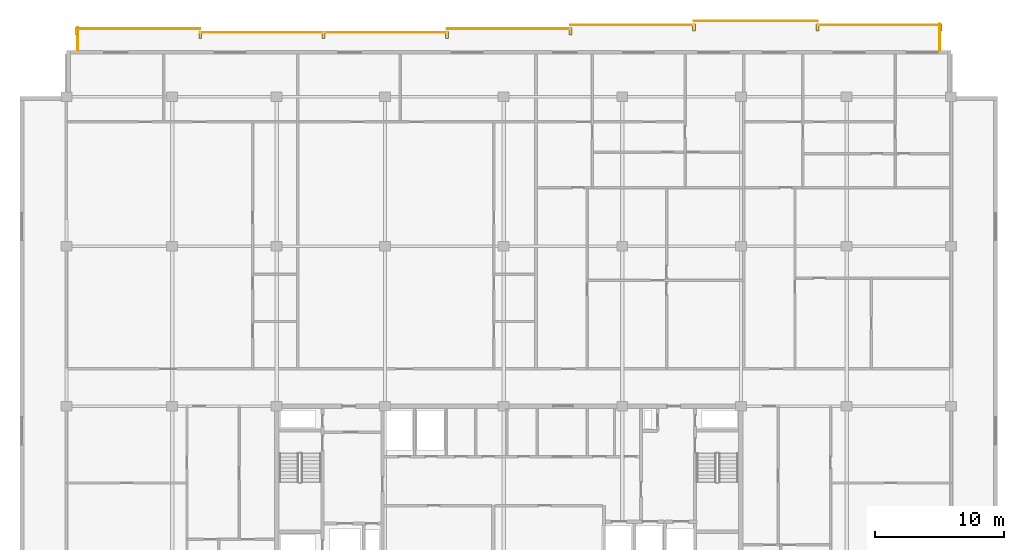
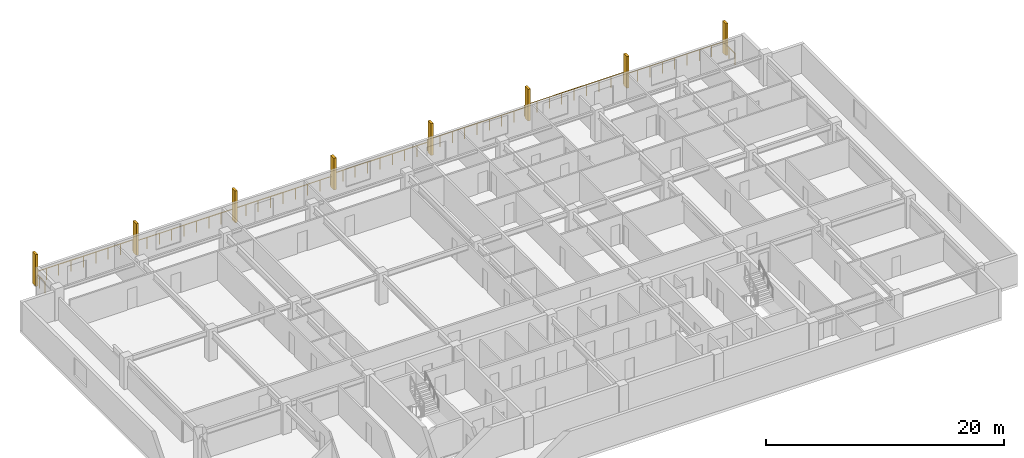
# One storey, part 30 of 30: 8 railings, 8 shading devices.
"""IFC4 building model written with IfcOpenShell, lengths in metres."""

from ifc_helpers import new_model, si_unit, direction, frame, origin, origin_2d, place, context, subcontext, project, spatial, rectangle, circle, extrude, material, type_object, element, save


model = new_model("IFC4")

# Units and contexts
model_context = context("Model", 3, precision=1e-05, world=origin(), true_north=direction((0.0, 1.0)))
body_context = subcontext(model_context, "Body", "Model", "MODEL_VIEW")
ifc_project = project(units=[si_unit("LENGTHUNIT", "METRE"), si_unit("AREAUNIT", "SQUARE_METRE"), si_unit("VOLUMEUNIT", "CUBIC_METRE"), si_unit("PLANEANGLEUNIT", "RADIAN"), si_unit("MASSUNIT", "GRAM", prefix="KILO")], contexts=[model_context])

# Site, building, storey
site_placement = place(None, origin())
site = spatial("IfcSite", under=ifc_project, at=site_placement, CompositionType="ELEMENT")
building_placement = place(site_placement, origin())
building = spatial("IfcBuilding", under=site, at=building_placement, Name="Korimba Cascade Residences", CompositionType="ELEMENT")
storey_placement = place(building_placement, frame((0.0, 0.0, 201.10009765625)))
storey = spatial("IfcBuildingStorey", under=building, at=storey_placement, Name="L58", CompositionType="ELEMENT", Elevation=201.10009765625)

# Railings
ifc_material_1 = material(Name="Laminated Glass and Bronze Balustrade", Category="glass")
railing_type = type_object("IfcRailingType", Name="RLG-LOG-1150", PredefinedType="BALUSTRADE", material=ifc_material_1)
railing_1_placement = place(storey_placement, frame((127.52001953125, 94.800048828125, 0.0)))
element("IfcRailing", 1, at=railing_1_placement, inside=storey, type_object=railing_type, Name="L58 Perimeter Guardrail RLG-L58-T1-LOG-01", PredefinedType="BALUSTRADE", context=body_context, shape_type="SweptSolid", body=[
    extrude(circle(Radius=0.02392578125, at=origin_2d()), frame((0.0, 0.0, 1.1259765625), z_axis=(0.0, 1.0, 0.0), x_axis=(-1.0, 0.0, 0.0)), (0.0, 0.0, 1.0), 2.050048828125),
    extrude(circle(Radius=0.02099609375, at=origin_2d()), origin(), (0.0, 0.0, 1.0), 1.101806640625),
    extrude(circle(Radius=0.02099609375, at=origin_2d()), frame((0.0, 1.02490234375, 0.0)), (0.0, 0.0, 1.0), 1.101806640625),
    extrude(circle(Radius=0.02099609375, at=origin_2d()), frame((0.0, 2.050048828125, 0.0)), (0.0, 0.0, 1.0), 1.101806640625),
])
for number, where, name in (
    (2, (127.60009765625, 96.77001953125, 0.0), "L58 Perimeter Guardrail RLG-L58-T1-LOG-02"),
    (3, (118.028564453125, 97.070068359375, 0.0), "L58 Perimeter Guardrail RLG-L58-T1-LOG-03"),
):
    element("IfcRailing", number, at=place(storey_placement, frame(where)), inside=storey, type_object=railing_type, Name=name, PredefinedType="BALUSTRADE", context=body_context, shape_type="SweptSolid", body=[
        extrude(circle(Radius=0.02392578125, at=origin_2d()), frame((0.0, 0.0, 1.1259765625), z_axis=(-1.0, 0.0, 0.0), x_axis=(0.0, -1.0, 0.0)), (0.0, 0.0, 1.0), 9.571533203125),
        extrude(circle(Radius=0.02099609375, at=origin_2d()), origin(), (0.0, 0.0, 1.0), 1.101806640625),
        extrude(circle(Radius=0.02099609375, at=origin_2d()), frame((-1.196533203125, 0.0, 0.0)), (0.0, 0.0, 1.0), 1.101806640625),
        extrude(circle(Radius=0.02099609375, at=origin_2d()), frame((-2.392822265625, 0.0, 0.0)), (0.0, 0.0, 1.0), 1.101806640625),
        extrude(circle(Radius=0.02099609375, at=origin_2d()), frame((-3.58935546875, 0.0, 0.0)), (0.0, 0.0, 1.0), 1.101806640625),
        extrude(circle(Radius=0.02099609375, at=origin_2d()), frame((-4.78564453125, 0.0, 0.0)), (0.0, 0.0, 1.0), 1.101806640625),
        extrude(circle(Radius=0.02099609375, at=origin_2d()), frame((-5.982177734375, 0.0, 0.0)), (0.0, 0.0, 1.0), 1.101806640625),
        extrude(circle(Radius=0.02099609375, at=origin_2d()), frame((-7.1787109375, 0.0, 0.0)), (0.0, 0.0, 1.0), 1.101806640625),
        extrude(circle(Radius=0.02099609375, at=origin_2d()), frame((-8.375, 0.0, 0.0)), (0.0, 0.0, 1.0), 1.101806640625),
        extrude(circle(Radius=0.02099609375, at=origin_2d()), frame((-9.571533203125, 0.0, 0.0)), (0.0, 0.0, 1.0), 1.101806640625),
    ])
railing_2_placement = place(storey_placement, frame((108.45703125, 96.77001953125, 0.0)))
element("IfcRailing", 4, at=railing_2_placement, inside=storey, type_object=railing_type, Name="L58 Perimeter Guardrail RLG-L58-T1-LOG-04", PredefinedType="BALUSTRADE", context=body_context, shape_type="SweptSolid", body=[
    extrude(circle(Radius=0.02392578125, at=origin_2d()), frame((0.0, 0.0, 1.1259765625), z_axis=(-1.0, 0.0, 0.0), x_axis=(0.0, -1.0, 0.0)), (0.0, 0.0, 1.0), 9.5712890625),
    extrude(circle(Radius=0.02099609375, at=origin_2d()), origin(), (0.0, 0.0, 1.0), 1.101806640625),
    extrude(circle(Radius=0.02099609375, at=origin_2d()), frame((-1.1962890625, 0.0, 0.0)), (0.0, 0.0, 1.0), 1.101806640625),
    extrude(circle(Radius=0.02099609375, at=origin_2d()), frame((-2.392822265625, 0.0, 0.0)), (0.0, 0.0, 1.0), 1.101806640625),
    extrude(circle(Radius=0.02099609375, at=origin_2d()), frame((-3.58935546875, 0.0, 0.0)), (0.0, 0.0, 1.0), 1.101806640625),
    extrude(circle(Radius=0.02099609375, at=origin_2d()), frame((-4.78564453125, 0.0, 0.0)), (0.0, 0.0, 1.0), 1.101806640625),
    extrude(circle(Radius=0.02099609375, at=origin_2d()), frame((-5.98193359375, 0.0, 0.0)), (0.0, 0.0, 1.0), 1.101806640625),
    extrude(circle(Radius=0.02099609375, at=origin_2d()), frame((-7.178466796875, 0.0, 0.0)), (0.0, 0.0, 1.0), 1.101806640625),
    extrude(circle(Radius=0.02099609375, at=origin_2d()), frame((-8.375, 0.0, 0.0)), (0.0, 0.0, 1.0), 1.101806640625),
    extrude(circle(Radius=0.02099609375, at=origin_2d()), frame((-9.5712890625, 0.0, 0.0)), (0.0, 0.0, 1.0), 1.101806640625),
])
railing_3_placement = place(storey_placement, frame((98.8857421875, 96.469970703125, 0.0)))
element("IfcRailing", 5, at=railing_3_placement, inside=storey, type_object=railing_type, Name="L58 Perimeter Guardrail RLG-L58-T1-LOG-05", PredefinedType="BALUSTRADE", context=body_context, shape_type="SweptSolid", body=[
    extrude(circle(Radius=0.02392578125, at=origin_2d()), frame((0.0, 0.0, 1.1259765625), z_axis=(-1.0, 0.0, 0.0), x_axis=(0.0, -1.0, 0.0)), (0.0, 0.0, 1.0), 9.571533203125),
    extrude(circle(Radius=0.02099609375, at=origin_2d()), origin(), (0.0, 0.0, 1.0), 1.101806640625),
    extrude(circle(Radius=0.02099609375, at=origin_2d()), frame((-1.196533203125, 0.0, 0.0)), (0.0, 0.0, 1.0), 1.101806640625),
    extrude(circle(Radius=0.02099609375, at=origin_2d()), frame((-2.392822265625, 0.0, 0.0)), (0.0, 0.0, 1.0), 1.101806640625),
    extrude(circle(Radius=0.02099609375, at=origin_2d()), frame((-3.58935546875, 0.0, 0.0)), (0.0, 0.0, 1.0), 1.101806640625),
    extrude(circle(Radius=0.02099609375, at=origin_2d()), frame((-4.78564453125, 0.0, 0.0)), (0.0, 0.0, 1.0), 1.101806640625),
    extrude(circle(Radius=0.02099609375, at=origin_2d()), frame((-5.982177734375, 0.0, 0.0)), (0.0, 0.0, 1.0), 1.101806640625),
    extrude(circle(Radius=0.02099609375, at=origin_2d()), frame((-7.1787109375, 0.0, 0.0)), (0.0, 0.0, 1.0), 1.101806640625),
    extrude(circle(Radius=0.02099609375, at=origin_2d()), frame((-8.375, 0.0, 0.0)), (0.0, 0.0, 1.0), 1.101806640625),
    extrude(circle(Radius=0.02099609375, at=origin_2d()), frame((-9.571533203125, 0.0, 0.0)), (0.0, 0.0, 1.0), 1.101806640625),
])
railing_4_placement = place(storey_placement, frame((89.314208984375, 96.169921875, 0.0)))
element("IfcRailing", 6, at=railing_4_placement, inside=storey, type_object=railing_type, Name="L58 Perimeter Guardrail RLG-L58-T1-LOG-06", PredefinedType="BALUSTRADE", context=body_context, shape_type="SweptSolid", body=[
    extrude(circle(Radius=0.02392578125, at=origin_2d()), frame((0.0, 0.0, 1.1259765625), z_axis=(-1.0, 0.0, 0.0), x_axis=(0.0, -1.0, 0.0)), (0.0, 0.0, 1.0), 19.142822265625),
    extrude(circle(Radius=0.02099609375, at=origin_2d()), origin(), (0.0, 0.0, 1.0), 1.101806640625),
    extrude(circle(Radius=0.02099609375, at=origin_2d()), frame((-1.196533203125, 0.0, 0.0)), (0.0, 0.0, 1.0), 1.101806640625),
    extrude(circle(Radius=0.02099609375, at=origin_2d()), frame((-2.392822265625, 0.0, 0.0)), (0.0, 0.0, 1.0), 1.101806640625),
    extrude(circle(Radius=0.02099609375, at=origin_2d()), frame((-3.58935546875, 0.0, 0.0)), (0.0, 0.0, 1.0), 1.101806640625),
    extrude(circle(Radius=0.02099609375, at=origin_2d()), frame((-4.78564453125, 0.0, 0.0)), (0.0, 0.0, 1.0), 1.101806640625),
    extrude(circle(Radius=0.02099609375, at=origin_2d()), frame((-5.982177734375, 0.0, 0.0)), (0.0, 0.0, 1.0), 1.101806640625),
    extrude(circle(Radius=0.02099609375, at=origin_2d()), frame((-7.178466796875, 0.0, 0.0)), (0.0, 0.0, 1.0), 1.101806640625),
    extrude(circle(Radius=0.02099609375, at=origin_2d()), frame((-8.375, 0.0, 0.0)), (0.0, 0.0, 1.0), 1.101806640625),
    extrude(circle(Radius=0.02099609375, at=origin_2d()), frame((-9.5712890625, 0.0, 0.0)), (0.0, 0.0, 1.0), 1.101806640625),
    extrude(circle(Radius=0.02099609375, at=origin_2d()), frame((-10.767822265625, 0.0, 0.0)), (0.0, 0.0, 1.0), 1.101806640625),
    extrude(circle(Radius=0.02099609375, at=origin_2d()), frame((-11.96435546875, 0.0, 0.0)), (0.0, 0.0, 1.0), 1.101806640625),
    extrude(circle(Radius=0.02099609375, at=origin_2d()), frame((-13.16064453125, 0.0, 0.0)), (0.0, 0.0, 1.0), 1.101806640625),
    extrude(circle(Radius=0.02099609375, at=origin_2d()), frame((-14.357177734375, 0.0, 0.0)), (0.0, 0.0, 1.0), 1.101806640625),
    extrude(circle(Radius=0.02099609375, at=origin_2d()), frame((-15.553466796875, 0.0, 0.0)), (0.0, 0.0, 1.0), 1.101806640625),
    extrude(circle(Radius=0.02099609375, at=origin_2d()), frame((-16.75, 0.0, 0.0)), (0.0, 0.0, 1.0), 1.101806640625),
    extrude(circle(Radius=0.02099609375, at=origin_2d()), frame((-17.9462890625, 0.0, 0.0)), (0.0, 0.0, 1.0), 1.101806640625),
    extrude(circle(Radius=0.02099609375, at=origin_2d()), frame((-19.142822265625, 0.0, 0.0)), (0.0, 0.0, 1.0), 1.101806640625),
])
railing_5_placement = place(storey_placement, frame((70.17138671875, 96.469970703125, 0.0)))
element("IfcRailing", 7, at=railing_5_placement, inside=storey, type_object=railing_type, Name="L58 Perimeter Guardrail RLG-L58-T1-LOG-07", PredefinedType="BALUSTRADE", context=body_context, shape_type="SweptSolid", body=[
    extrude(circle(Radius=0.02392578125, at=origin_2d()), frame((0.0, 0.0, 1.1259765625), z_axis=(-1.0, 0.0, 0.0), x_axis=(0.0, -1.0, 0.0)), (0.0, 0.0, 1.0), 9.5712890625),
    extrude(circle(Radius=0.02099609375, at=origin_2d()), origin(), (0.0, 0.0, 1.0), 1.101806640625),
    extrude(circle(Radius=0.02099609375, at=origin_2d()), frame((-1.1962890625, 0.0, 0.0)), (0.0, 0.0, 1.0), 1.101806640625),
    extrude(circle(Radius=0.02099609375, at=origin_2d()), frame((-2.392822265625, 0.0, 0.0)), (0.0, 0.0, 1.0), 1.101806640625),
    extrude(circle(Radius=0.02099609375, at=origin_2d()), frame((-3.58935546875, 0.0, 0.0)), (0.0, 0.0, 1.0), 1.101806640625),
    extrude(circle(Radius=0.02099609375, at=origin_2d()), frame((-4.78564453125, 0.0, 0.0)), (0.0, 0.0, 1.0), 1.101806640625),
    extrude(circle(Radius=0.02099609375, at=origin_2d()), frame((-5.98193359375, 0.0, 0.0)), (0.0, 0.0, 1.0), 1.101806640625),
    extrude(circle(Radius=0.02099609375, at=origin_2d()), frame((-7.178466796875, 0.0, 0.0)), (0.0, 0.0, 1.0), 1.101806640625),
    extrude(circle(Radius=0.02099609375, at=origin_2d()), frame((-8.375, 0.0, 0.0)), (0.0, 0.0, 1.0), 1.101806640625),
    extrude(circle(Radius=0.02099609375, at=origin_2d()), frame((-9.5712890625, 0.0, 0.0)), (0.0, 0.0, 1.0), 1.101806640625),
])
railing_6_placement = place(storey_placement, frame((60.679931640625, 96.550048828125, 0.0)))
element("IfcRailing", 8, at=railing_6_placement, inside=storey, type_object=railing_type, Name="L58 Perimeter Guardrail RLG-L58-T1-LOG-08", PredefinedType="BALUSTRADE", context=body_context, shape_type="SweptSolid", body=[
    extrude(circle(Radius=0.02392578125, at=origin_2d()), frame((0.0, 0.0, 1.1259765625), z_axis=(0.0, -1.0, 0.0), x_axis=(1.0, 0.0, 0.0)), (0.0, 0.0, 1.0), 1.75),
    extrude(circle(Radius=0.02099609375, at=origin_2d()), origin(), (0.0, 0.0, 1.0), 1.101806640625),
    extrude(circle(Radius=0.02099609375, at=origin_2d()), frame((0.0, -0.875, 0.0)), (0.0, 0.0, 1.0), 1.101806640625),
    extrude(circle(Radius=0.02099609375, at=origin_2d()), frame((0.0, -1.75, 0.0)), (0.0, 0.0, 1.0), 1.101806640625),
])

# Shading devices
ifc_material_2 = material(Name="Honed Sandstone Precast Fin", Category="masonry")
shading_device_type = type_object("IfcShadingDeviceType", Name="SHD-FIN-550", PredefinedType="USERDEFINED", material=ifc_material_2)
for number, where, z_axis, x_axis, name in (
    (9, (60.60009765625, 96.27490234375, 0.0), (0.0, 0.0, 1.0), (1.0, 0.0, 0.0), "L58 T1 Warm-Stone Loggia Fin 1"),
    (10, (70.17138671875, 95.97509765625, 0.0), (0.0, 0.0, 1.0), (1.0, 0.0, 0.0), "L58 T1 Warm-Stone Loggia Fin 2"),
    (11, (79.742919921875, 95.97509765625, 0.0), (0.0, 0.0, 1.0), (1.0, 0.0, 0.0), "L58 T1 Warm-Stone Loggia Fin 3"),
    (12, (89.314208984375, 95.97509765625, 0.0), (0.0, 0.0, 1.0), (1.0, 0.0, 0.0), "L58 T1 Warm-Stone Loggia Fin 4"),
    (13, (98.8857421875, 96.27490234375, 0.0), (0.0, 0.0, 1.0), (1.0, 0.0, 0.0), "L58 T1 Warm-Stone Loggia Fin 5"),
    (14, (108.45703125, 96.574951171875, 0.0), (0.0, 0.0, 1.0), (1.0, 0.0, 0.0), "L58 T1 Warm-Stone Loggia Fin 6"),
    (15, (118.028564453125, 96.574951171875, 0.0), (0.0, 0.0, 1.0), (1.0, 0.0, 0.0), "L58 T1 Warm-Stone Loggia Fin 7"),
    (16, (127.60009765625, 96.574951171875, 0.0), (0.0, 0.0, 1.0), (1.0, 0.0, 0.0), "L58 T1 Warm-Stone Loggia Fin 8"),
):
    element("IfcShadingDevice", number, at=place(storey_placement, frame(where, z_axis=z_axis, x_axis=x_axis)), inside=storey, type_object=shading_device_type, Name=name, ObjectType="FIN", PredefinedType="USERDEFINED", context=body_context, shape_type="SweptSolid", body=[
        extrude(rectangle(XDim=0.219970703125, YDim=0.550048828125, at=origin_2d()), origin(), (0.0, 0.0, 1.0), 3.25),
    ])

save(model, "model.ifc")
